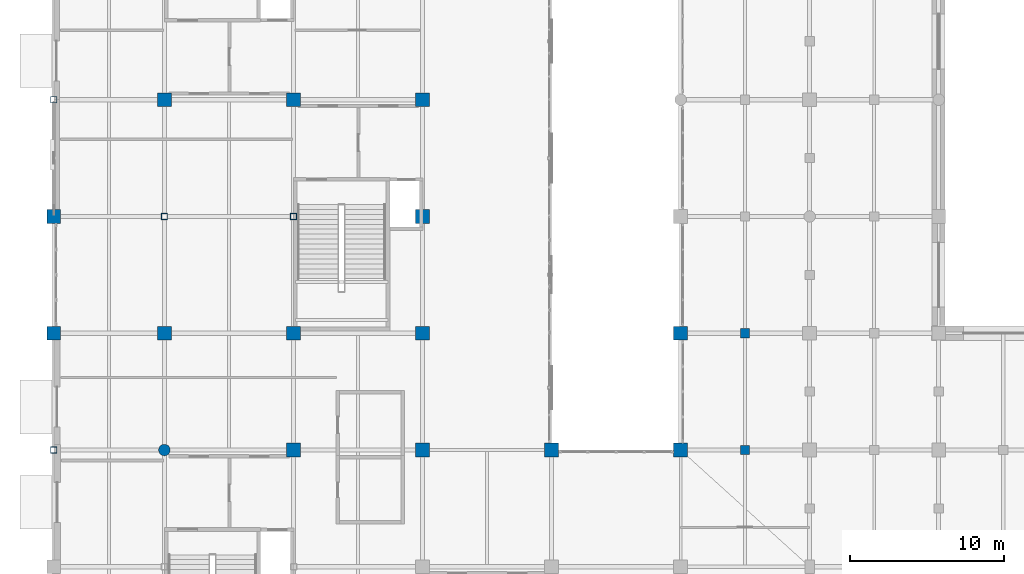
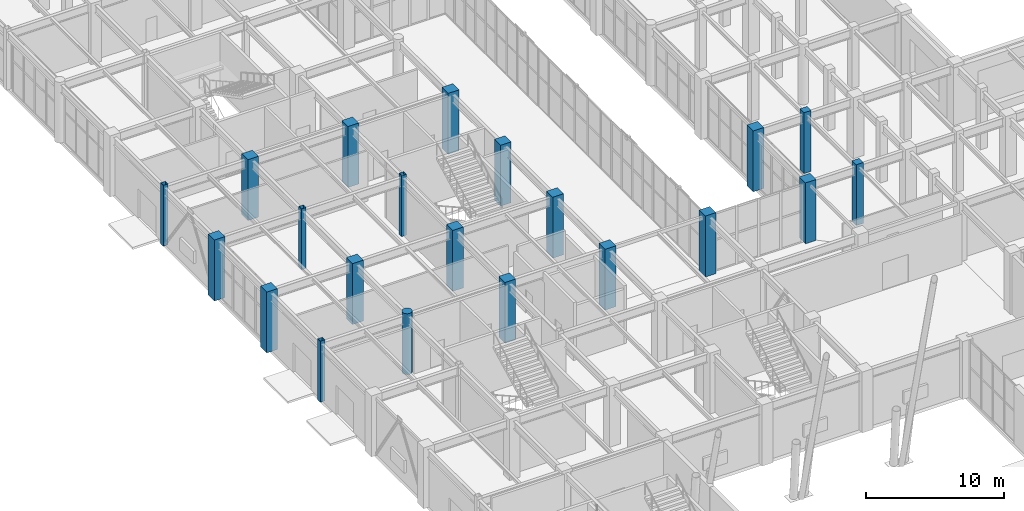
# One storey, part 3 of 139: 21 columns.
"""IFC4 building model written with IfcOpenShell, lengths in metres."""

from ifc_helpers import new_model, si_unit, direction, frame, origin, origin_2d, place, context, subcontext, project, spatial, rectangle, hollow_rectangle, circle, extrude, material, material_profile, profile_set, type_object, element, save


model = new_model("IFC4")

# Units and contexts
model_context = context("Model", 3, precision=1e-05, world=origin(), true_north=direction((0.0, 1.0)))
body_context = subcontext(model_context, "Body", "Model", "MODEL_VIEW")
ifc_project = project(units=[si_unit("LENGTHUNIT", "METRE"), si_unit("AREAUNIT", "SQUARE_METRE"), si_unit("VOLUMEUNIT", "CUBIC_METRE"), si_unit("PLANEANGLEUNIT", "RADIAN"), si_unit("MASSUNIT", "GRAM", prefix="KILO")], contexts=[model_context])

# Site, building, storey
site_placement = place(None, origin())
site = spatial("IfcSite", under=ifc_project, at=site_placement, CompositionType="ELEMENT")
building_placement = place(site_placement, origin())
building = spatial("IfcBuilding", under=site, at=building_placement, Name="Xicomal Pleat Aquarium", CompositionType="ELEMENT")
storey_placement = place(building_placement, origin())
storey = spatial("IfcBuildingStorey", under=building, at=storey_placement, Name="L01", CompositionType="ELEMENT", Elevation=0.0)

# Columns
ifc_material_1 = material(Name="Concrete C40/50", Category="concrete")
ifc_material_profile_1 = material_profile(ifc_material_1, rectangle(XDim=0.60009765625, YDim=0.60009765625, at=origin_2d()), Name="RC 600x600")
ifc_profile_set_1 = profile_set([ifc_material_profile_1], Name="Concrete C40/50")
column_type_1 = type_object("IfcColumnType", Name="COL-RC-600x600", PredefinedType="COLUMN", material=ifc_profile_set_1)
for number, where, z_axis, x_axis, name in (
    (1, (48.0, 38.0, 0.0), (0.0, 0.0, 1.0), (1.0, 0.0, 0.0), "L01 intermediate support column SUB-01"),
    (2, (48.0, 45.60009765625, 0.0), (0.0, 0.0, 1.0), (1.0, 0.0, 0.0), "L01 intermediate support column SUB-02"),
):
    element("IfcColumn", number, at=place(storey_placement, frame(where, z_axis=z_axis, x_axis=x_axis)), inside=storey, type_object=column_type_1, Name=name, PredefinedType="COLUMN", context=body_context, shape_type="SweptSolid", body=[
        extrude(rectangle(XDim=0.60009765625, YDim=0.60009765625, at=origin_2d()), origin(), (0.0, 0.0, 1.0), 5.39990234375),
    ])
ifc_material_2 = material(Name="Concrete C40/50", Category="concrete")
ifc_material_profile_2 = material_profile(ifc_material_2, rectangle(XDim=0.89990234375, YDim=0.89990234375, at=origin_2d()), Name="RC 900x900")
ifc_profile_set_2 = profile_set([ifc_material_profile_2], Name="Concrete C40/50")
column_type_2 = type_object("IfcColumnType", Name="COL-RC-900x900", PredefinedType="COLUMN", material=ifc_profile_set_2)
for number, where, z_axis, x_axis, name in (
    (3, (3.0, 45.60009765625, 0.0), (0.0, 0.0, 1.0), (1.0, 0.0, 0.0), "L01 column 01/G"),
    (4, (3.0, 53.199951171875, 0.0), (0.0, 0.0, 1.0), (1.0, 0.0, 0.0), "L01 column 01/H"),
    (5, (10.199951171875, 45.60009765625, 0.0), (0.0, 0.0, 1.0), (1.0, 0.0, 0.0), "L01 column 02/G"),
    (6, (10.199951171875, 60.800048828125, 0.0), (0.0, 0.0, 1.0), (1.0, 0.0, 0.0), "L01 column 02/J"),
    (7, (18.60009765625, 38.0, 0.0), (0.0, 0.0, 1.0), (1.0, 0.0, 0.0), "L01 column 03/F"),
    (8, (18.60009765625, 45.60009765625, 0.0), (0.0, 0.0, 1.0), (1.0, 0.0, 0.0), "L01 column 03/G"),
    (9, (18.60009765625, 60.800048828125, 0.0), (0.0, 0.0, 1.0), (1.0, 0.0, 0.0), "L01 column 03/J"),
    (10, (27.0, 38.0, 0.0), (0.0, 0.0, 1.0), (1.0, 0.0, 0.0), "L01 column 04/F"),
    (11, (27.0, 45.60009765625, 0.0), (0.0, 0.0, 1.0), (1.0, 0.0, 0.0), "L01 column 04/G"),
    (12, (27.0, 53.199951171875, 0.0), (0.0, 0.0, 1.0), (1.0, 0.0, 0.0), "L01 column 04/H"),
    (13, (27.0, 60.800048828125, 0.0), (0.0, 0.0, 1.0), (1.0, 0.0, 0.0), "L01 column 04/J"),
    (14, (35.39990234375, 38.0, 0.0), (0.0, 0.0, 1.0), (1.0, 0.0, 0.0), "L01 column 05/F"),
    (15, (43.800048828125, 38.0, 0.0), (0.0, 0.0, 1.0), (1.0, 0.0, 0.0), "L01 column 06/F"),
    (16, (43.800048828125, 45.60009765625, 0.0), (0.0, 0.0, 1.0), (1.0, 0.0, 0.0), "L01 column 06/G"),
):
    element("IfcColumn", number, at=place(storey_placement, frame(where, z_axis=z_axis, x_axis=x_axis)), inside=storey, type_object=column_type_2, Name=name, PredefinedType="COLUMN", context=body_context, shape_type="SweptSolid", body=[
        extrude(rectangle(XDim=0.89990234375, YDim=0.89990234375, at=origin_2d()), origin(), (0.0, 0.0, 1.0), 5.39990234375),
    ])
ifc_material_3 = material(Name="Concrete C40/50", Category="concrete")
ifc_material_profile_3 = material_profile(ifc_material_3, circle(Radius=0.375, at=origin_2d()), Name="RCC D750")
ifc_profile_set_3 = profile_set([ifc_material_profile_3], Name="Concrete C40/50")
column_type_3 = type_object("IfcColumnType", Name="COL-RCC-D750", PredefinedType="COLUMN", material=ifc_profile_set_3)
column_placement = place(storey_placement, frame((10.199951171875, 38.0, 0.0), z_axis=(0.0, 0.0, 1.0), x_axis=(1.0, 0.0, 0.0)))
element("IfcColumn", 17, at=column_placement, inside=storey, type_object=column_type_3, Name="L01 column 02/F", PredefinedType="COLUMN", context=body_context, shape_type="SweptSolid", body=[
    extrude(circle(Radius=0.375, at=origin_2d()), origin(), (0.0, 0.0, 1.0), 5.39990234375),
])
ifc_material_4 = material(Name="Structural steel A500 Gr C", Category="steel")
ifc_material_profile_4 = material_profile(ifc_material_4, hollow_rectangle(XDim=0.39990234375, YDim=0.39990234375, WallThickness=0.01611328125, at=origin_2d()), Name="OR 400x400x16")
ifc_profile_set_4 = profile_set([ifc_material_profile_4], Name="Structural steel A500 Gr C")
column_type_4 = type_object("IfcColumnType", Name="COL-STL-OR400", PredefinedType="COLUMN", material=ifc_profile_set_4)
for number, where, z_axis, x_axis, name in (
    (18, (3.0, 38.0, 0.0), (0.0, 0.0, 1.0), (1.0, 0.0, 0.0), "L01 column 01/F"),
    (19, (3.0, 60.800048828125, 0.0), (0.0, 0.0, 1.0), (1.0, 0.0, 0.0), "L01 column 01/J"),
    (20, (10.199951171875, 53.199951171875, 0.0), (0.0, 0.0, 1.0), (1.0, 0.0, 0.0), "L01 column 02/H"),
    (21, (18.60009765625, 53.199951171875, 0.0), (0.0, 0.0, 1.0), (1.0, 0.0, 0.0), "L01 column 03/H"),
):
    element("IfcColumn", number, at=place(storey_placement, frame(where, z_axis=z_axis, x_axis=x_axis)), inside=storey, type_object=column_type_4, Name=name, PredefinedType="COLUMN", context=body_context, shape_type="SweptSolid", body=[
        extrude(hollow_rectangle(XDim=0.39990234375, YDim=0.39990234375, WallThickness=0.01611328125, at=origin_2d()), origin(), (0.0, 0.0, 1.0), 5.39990234375),
    ])

save(model, "model.ifc")
